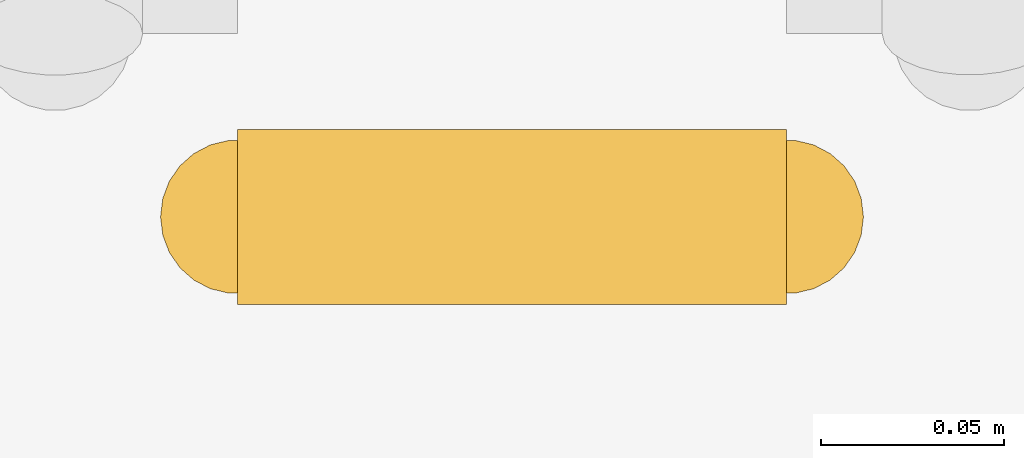
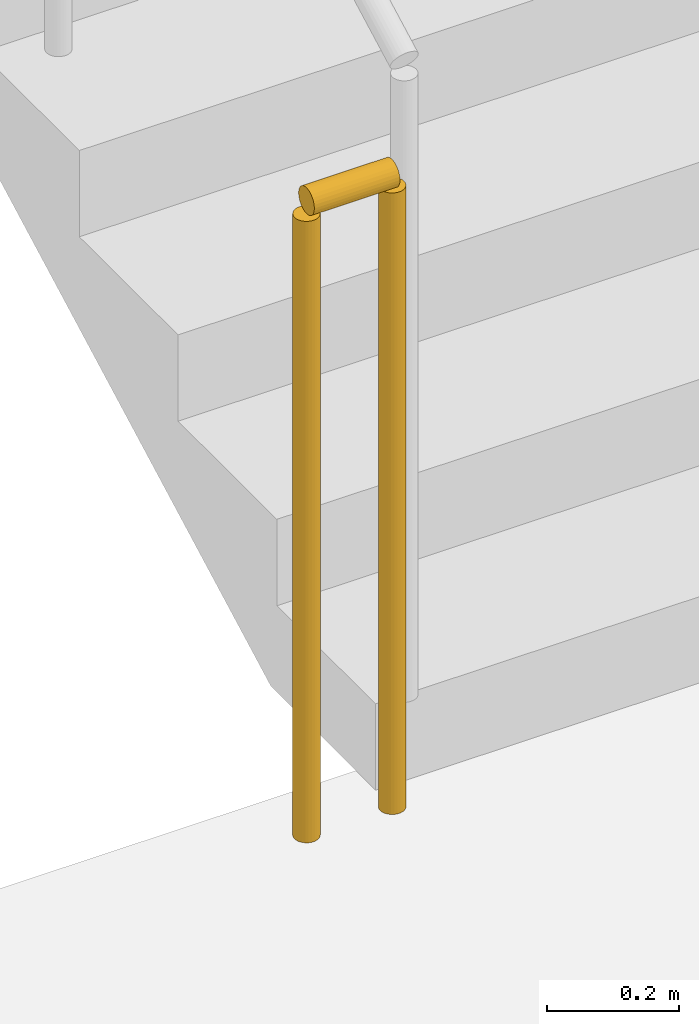
# One storey, part 46 of 59: 1 railing.
"""IFC4 building model written with IfcOpenShell, lengths in metres."""

from ifc_helpers import new_model, si_unit, direction, frame, origin, origin_2d, place, context, subcontext, project, spatial, circle, extrude, material, type_object, element, save


model = new_model("IFC4")

# Units and contexts
model_context = context("Model", 3, precision=1e-05, world=origin(), true_north=direction((0.0, 1.0)))
body_context = subcontext(model_context, "Body", "Model", "MODEL_VIEW")
ifc_project = project(units=[si_unit("LENGTHUNIT", "METRE"), si_unit("AREAUNIT", "SQUARE_METRE"), si_unit("VOLUMEUNIT", "CUBIC_METRE"), si_unit("PLANEANGLEUNIT", "RADIAN"), si_unit("MASSUNIT", "GRAM", prefix="KILO")], contexts=[model_context])

# Site, building, storey
site_placement = place(None, origin())
site = spatial("IfcSite", under=ifc_project, at=site_placement, CompositionType="ELEMENT")
building_placement = place(site_placement, origin())
building = spatial("IfcBuilding", under=site, at=building_placement, Name="Valkovuoma Quantum and Materials Research Institute", CompositionType="ELEMENT")
storey_placement = place(building_placement, origin())
storey = spatial("IfcBuildingStorey", under=building, at=storey_placement, Name="L00", CompositionType="ELEMENT", Elevation=0.0)

# Railing
ifc_material = material(Name="Painted steel stair balustrade", Category="steel")
railing_type = type_object("IfcRailingType", Name="Rail-GRD-ST", PredefinedType="BALUSTRADE", material=ifc_material)
railing_placement = place(storey_placement, frame((4.050048828125, 31.050048828125, 0.0)))
element("IfcRailing", 1, at=railing_placement, inside=storey, type_object=railing_type, Name="L00 ST-1 stair guard 4", PredefinedType="BALUSTRADE", context=body_context, shape_type="SweptSolid", body=[
    extrude(circle(Radius=0.02392578125, at=origin_2d()), frame((0.0, 0.0, 1.17578125), z_axis=(-1.0, 0.0, 0.0), x_axis=(0.0, -1.0, 0.0)), (0.0, 0.0, 1.0), 0.150146484375),
    extrude(circle(Radius=0.02099609375, at=origin_2d()), origin(), (0.0, 0.0, 1.0), 1.15185546875),
    extrude(circle(Radius=0.02099609375, at=origin_2d()), frame((-0.150146484375, 0.0, 0.0)), (0.0, 0.0, 1.0), 1.15185546875),
])

save(model, "model.ifc")
